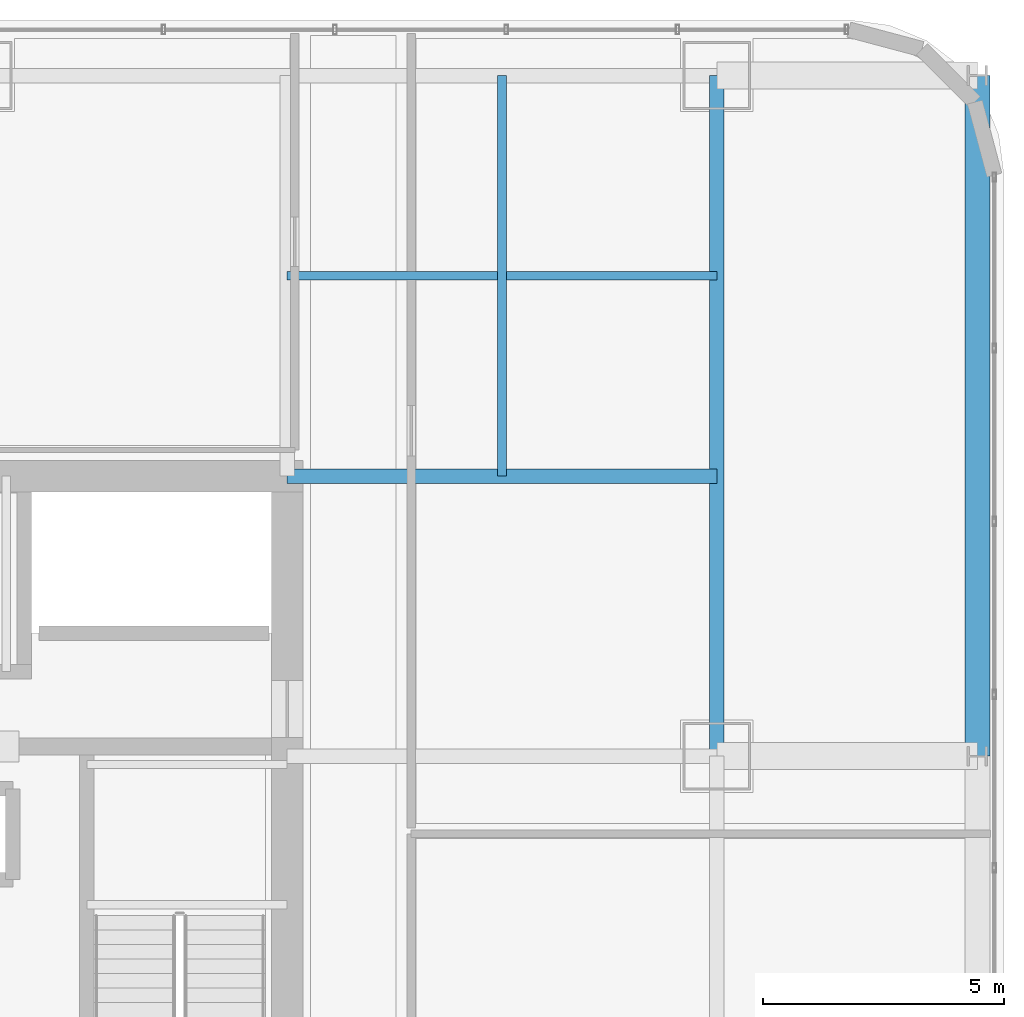
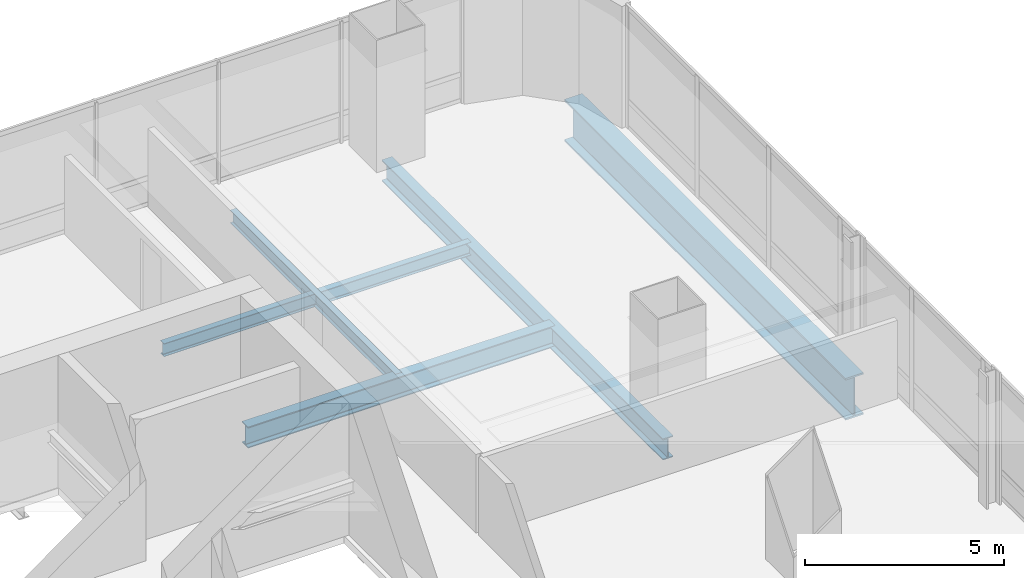
# One storey, part 26 of 35: 5 beams.
"""IFC4 building model written with IfcOpenShell, lengths in metres."""

from ifc_helpers import new_model, si_unit, direction, frame, origin, origin_2d, place, context, subcontext, project, spatial, i_section, extrude, material, material_profile, profile_set, type_object, element, save


model = new_model("IFC4")

# Units and contexts
model_context = context("Model", 3, precision=1e-05, world=origin(), true_north=direction((0.0, 1.0)))
body_context = subcontext(model_context, "Body", "Model", "MODEL_VIEW")
ifc_project = project(units=[si_unit("LENGTHUNIT", "METRE"), si_unit("AREAUNIT", "SQUARE_METRE"), si_unit("VOLUMEUNIT", "CUBIC_METRE"), si_unit("PLANEANGLEUNIT", "RADIAN"), si_unit("MASSUNIT", "GRAM", prefix="KILO")], contexts=[model_context])

# Site, building, storey
site_placement = place(None, origin())
site = spatial("IfcSite", under=ifc_project, at=site_placement, CompositionType="ELEMENT")
building_placement = place(site_placement, origin())
building = spatial("IfcBuilding", under=site, at=building_placement, Name="Punatoya Terracotta Tower", CompositionType="ELEMENT")
storey_placement = place(building_placement, frame((0.0, 0.0, 232.949951171875)))
storey = spatial("IfcBuildingStorey", under=building, at=storey_placement, Name="L55", CompositionType="ELEMENT", Elevation=232.949951171875)

# Beams
ifc_material_1 = material(Name="Steel S355", Category="steel")
ifc_material_profile_1 = material_profile(ifc_material_1, i_section(OverallWidth=0.300048828125, OverallDepth=0.64990234375, WebThickness=0.01611328125, FlangeThickness=0.031005859375, FilletRadius=0.01806640625, at=origin_2d()))
ifc_profile_set_1 = profile_set([ifc_material_profile_1], Name="Steel S355")
beam_type_1 = type_object("IfcBeamType", Name="BM-PRI-650", PredefinedType="BEAM", material=ifc_profile_set_1)
beam_1_placement = place(storey_placement, frame((19.10009765625, 3.39990234375, -0.544921875), z_axis=(0.0, 1.0, 0.0), x_axis=(-1.0, 0.0, 0.0)))
element("IfcBeam", 1, at=beam_1_placement, inside=storey, type_object=beam_type_1, Name="BM-L55-RG-E3", PredefinedType="BEAM", context=body_context, shape_type="SweptSolid", body=[
    extrude(i_section(OverallWidth=0.300048828125, OverallDepth=0.64990234375, WebThickness=0.01611328125, FlangeThickness=0.031005859375, FilletRadius=0.01806640625, at=origin_2d()), origin(), (0.0, 0.0, 1.0), 14.10009765625),
])
beam_2_placement = place(storey_placement, frame((10.199951171875, 9.199951171875, -0.544921875), z_axis=(1.0, 0.0, 0.0), x_axis=(0.0, 1.0, 0.0)))
element("IfcBeam", 2, at=beam_2_placement, inside=storey, type_object=beam_type_1, Name="BM-L55-PR-EN", PredefinedType="BEAM", context=body_context, shape_type="SweptSolid", body=[
    extrude(i_section(OverallWidth=0.300048828125, OverallDepth=0.64990234375, WebThickness=0.01611328125, FlangeThickness=0.031005859375, FilletRadius=0.01806640625, at=origin_2d()), origin(), (0.0, 0.0, 1.0), 8.900146484375),
])
ifc_material_profile_2 = material_profile(ifc_material_1, i_section(OverallWidth=0.179931640625, OverallDepth=0.39990234375, WebThickness=0.008544921875, FlangeThickness=0.013427734375, FilletRadius=0.01806640625, at=origin_2d()))
ifc_profile_set_2 = profile_set([ifc_material_profile_2], Name="Steel S355")
beam_type_2 = type_object("IfcBeamType", Name="BM-SEC-400", PredefinedType="JOIST", material=ifc_profile_set_2)
beam_3_placement = place(storey_placement, frame((10.199951171875, 13.35009765625, -0.419921875), z_axis=(1.0, 0.0, 0.0), x_axis=(0.0, 1.0, 0.0)))
element("IfcBeam", 3, at=beam_3_placement, inside=storey, type_object=beam_type_2, Name="BM-L55-SJN-2", PredefinedType="JOIST", context=body_context, shape_type="SweptSolid", body=[
    extrude(i_section(OverallWidth=0.179931640625, OverallDepth=0.39990234375, WebThickness=0.008544921875, FlangeThickness=0.013427734375, FilletRadius=0.01806640625, at=origin_2d()), origin(), (0.0, 0.0, 1.0), 8.900146484375),
])
beam_4_placement = place(storey_placement, frame((14.64990234375, 9.199951171875, -0.419921875), z_axis=(0.0, 1.0, 0.0), x_axis=(-1.0, 0.0, 0.0)))
element("IfcBeam", 4, at=beam_4_placement, inside=storey, type_object=beam_type_2, Name="BM-L55-SJE-2", PredefinedType="JOIST", context=body_context, shape_type="SweptSolid", body=[
    extrude(i_section(OverallWidth=0.179931640625, OverallDepth=0.39990234375, WebThickness=0.008544921875, FlangeThickness=0.013427734375, FilletRadius=0.01806640625, at=origin_2d()), origin(), (0.0, 0.0, 1.0), 8.300048828125),
])
ifc_material_2 = material(Name="Steel S460", Category="steel")
ifc_material_profile_3 = material_profile(ifc_material_2, i_section(OverallWidth=0.52001953125, OverallDepth=1.280029296875, WebThickness=0.031982421875, FlangeThickness=0.050048828125, FilletRadius=0.01806640625, at=origin_2d()))
ifc_profile_set_3 = profile_set([ifc_material_profile_3], Name="Steel S460")
beam_type_3 = type_object("IfcBeamType", Name="BM-TG-NCK", PredefinedType="BEAM", material=ifc_profile_set_3)
beam_5_placement = place(storey_placement, frame((24.5, 3.39990234375, -0.85986328125), z_axis=(0.0, 1.0, 0.0), x_axis=(-1.0, 0.0, 0.0)))
element("IfcBeam", 5, at=beam_5_placement, inside=storey, type_object=beam_type_3, Name="BM-L55-PER-E2", PredefinedType="BEAM", context=body_context, shape_type="SweptSolid", body=[
    extrude(i_section(OverallWidth=0.52001953125, OverallDepth=1.280029296875, WebThickness=0.031982421875, FlangeThickness=0.050048828125, FilletRadius=0.01806640625, at=origin_2d()), origin(), (0.0, 0.0, 1.0), 14.10009765625),
])

save(model, "model.ifc")
